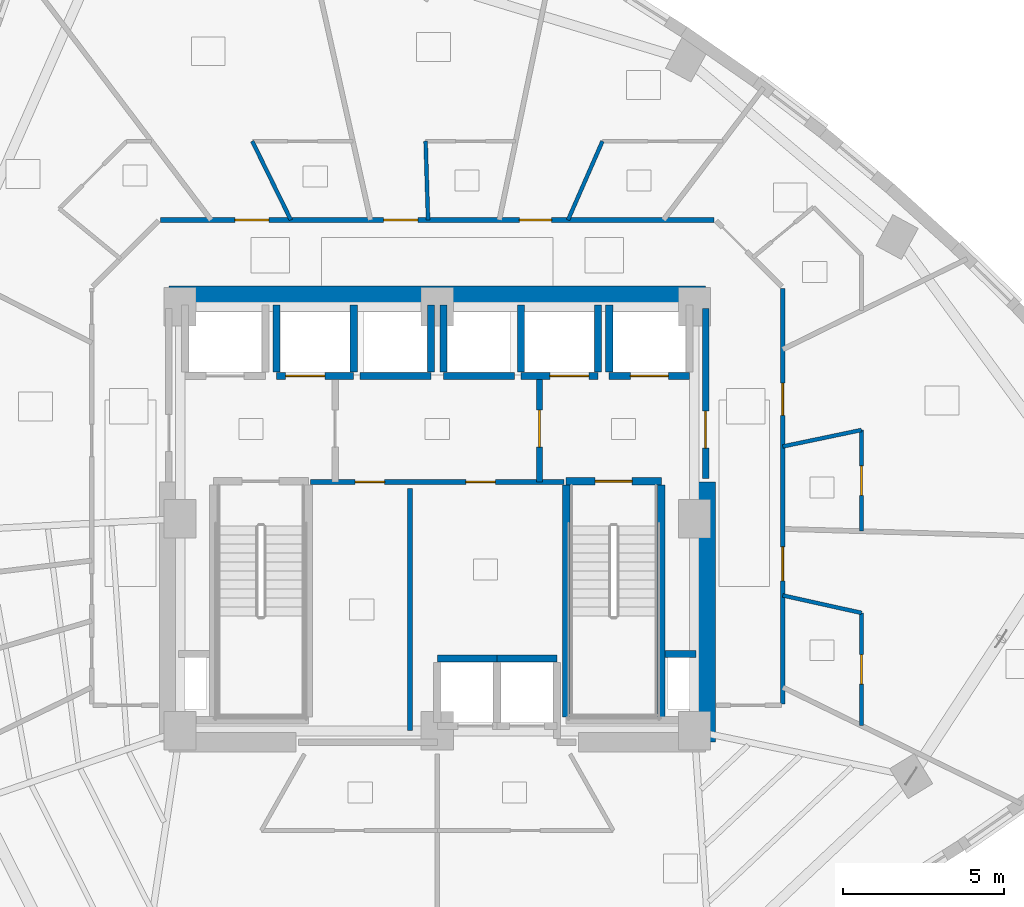
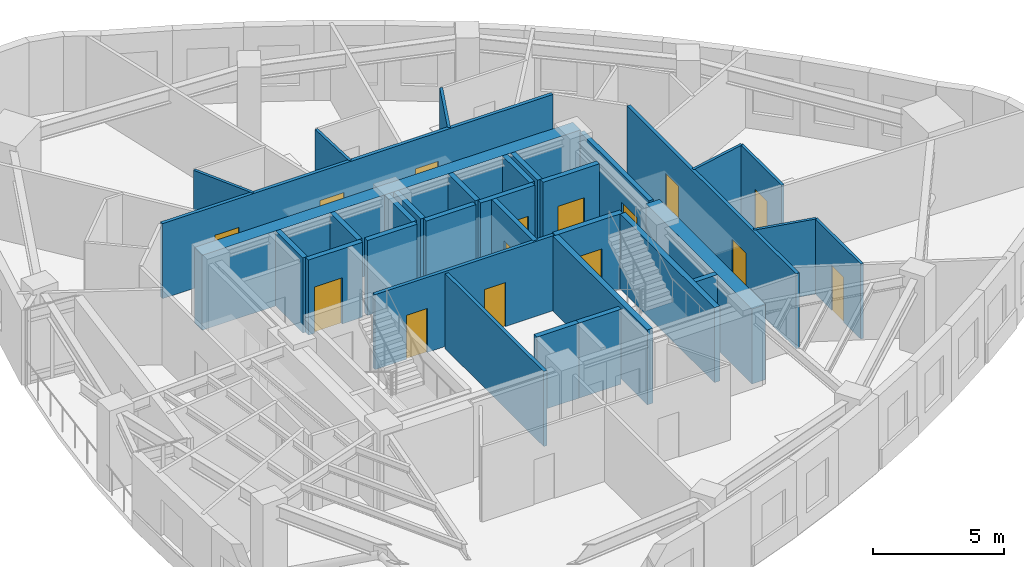
# One storey, part 7 of 12: 33 walls, 15 doors, 15 openings.
"""IFC4 building model written with IfcOpenShell, lengths in metres."""

from ifc_helpers import new_model, si_unit, direction, frame, frame_2d, origin, place, context, subcontext, project, spatial, rectangle, extrude, material, layer, layer_set, type_object, element, fill, save


model = new_model("IFC4")

# Units and contexts
model_context = context("Model", 3, precision=1e-05, world=origin(), true_north=direction((0.0, 1.0)))
body_context = subcontext(model_context, "Body", "Model", "MODEL_VIEW")
ifc_project = project(units=[si_unit("LENGTHUNIT", "METRE"), si_unit("AREAUNIT", "SQUARE_METRE"), si_unit("VOLUMEUNIT", "CUBIC_METRE"), si_unit("PLANEANGLEUNIT", "RADIAN"), si_unit("MASSUNIT", "GRAM", prefix="KILO")], contexts=[model_context])

# Site, building, storey
site_placement = place(None, origin())
site = spatial("IfcSite", under=ifc_project, at=site_placement, CompositionType="ELEMENT")
building_placement = place(site_placement, origin())
building = spatial("IfcBuilding", under=site, at=building_placement, Name="Ndelora Gate Hotel", CompositionType="ELEMENT")
storey_placement = place(building_placement, frame((0.0, 0.0, 104.75)))
storey = spatial("IfcBuildingStorey", under=building, at=storey_placement, Name="L25", CompositionType="ELEMENT", Elevation=104.75)

# Walls
ifc_material_1 = material(Name="Concrete C60/75", Category="concrete")
ifc_layer_1 = layer(ifc_material_1, 0.60009765625)
ifc_layer_set_1 = layer_set([ifc_layer_1], Name="Concrete C60/75")
wall_type_1 = type_object("IfcWallType", Name="WL-CORE-600", PredefinedType="SHEAR", material=ifc_layer_set_1)
wall_1_placement = place(storey_placement, frame((-8.35009765625, 6.949951171875, 0.0), z_axis=(0.0, 0.0, 1.0), x_axis=(1.0, 0.0, 0.0)))
element("IfcWall", 1, at=wall_1_placement, inside=storey, type_object=wall_type_1, Name="L25 Core Shear Wall N", PredefinedType="SHEAR", context=body_context, shape_type="SweptSolid", body=[
    extrude(rectangle(XDim=16.7001953125, YDim=0.60009765625, at=frame_2d((8.35009765625, 0.0))), origin(), (0.0, 0.0, 1.0), 3.5),
])
wall_2_placement = place(storey_placement, frame((8.35009765625, -6.949951171875, 0.0), z_axis=(0.0, 0.0, 1.0), x_axis=(0.0, 1.0, 0.0)))
element("IfcWall", 2, at=wall_2_placement, inside=storey, type_object=wall_type_1, Name="L25 Core Shear Wall E", PredefinedType="SHEAR", context=body_context, shape_type="SweptSolid", body=[
    extrude(rectangle(XDim=8.099853515625, YDim=0.60009765625, at=frame_2d((4.0498046875, 0.0))), origin(), (0.0, 0.0, 1.0), 3.5),
])

# Wall, opening, door
ifc_material_2 = material(Name="Concrete C40/50", Category="concrete")
ifc_layer_2 = layer(ifc_material_2, 0.199951171875)
ifc_layer_set_2 = layer_set([ifc_layer_2], Name="Concrete C40/50")
wall_type_2 = type_object("IfcWallType", Name="WL-FIRE-200", PredefinedType="PARTITIONING", material=ifc_layer_set_2)
wall_3_placement = place(storey_placement, frame((3.179931640625, 1.14990234375, 0.0), z_axis=(0.0, 0.0, 1.0), x_axis=(0.0, 1.0, 0.0)))
wall_3 = element("IfcWall", 3, at=wall_3_placement, inside=storey, type_object=wall_type_2, Name="L25 Interior Wall IW-2", PredefinedType="PARTITIONING", context=body_context, shape_type="SweptSolid", body=[
    extrude(rectangle(XDim=3.300048828125, YDim=0.199951171875, at=frame_2d((1.64990234375, 0.0))), origin(), (0.0, 0.0, 1.0), 3.5),
])
opening_1_placement = place(wall_3_placement, frame((1.080078125, 0.0, 0.0)))
opening_1 = element("IfcOpeningElement", 4, at=opening_1_placement, cuts=wall_3, Name="Opening FD1", PredefinedType="OPENING", context=body_context, shape_type="SweptSolid", body=[
    extrude(rectangle(XDim=1.14990234375, YDim=2.14990234375, at=frame_2d((0.574951171875, 1.074951171875))), frame((0.0, 0.10986328125, 0.0), z_axis=(0.0, -1.0, 0.0), x_axis=(1.0, 0.0, 0.0)), (0.0, 0.0, 1.0), 0.219970703125),
])
ifc_material_3 = material(Name="Fire-Rated Timber-Veneer Steel Core", Category="steel")
door_type_1 = type_object("IfcDoorType", Name="DR-FD60", OperationType="SINGLE_SWING_LEFT", PredefinedType="DOOR", material=ifc_material_3)
door_1_placement = place(opening_1_placement, origin())
door_1 = element("IfcDoor", 5, at=door_1_placement, inside=storey, type_object=door_type_1, Name="L25 Firefighting Lobby East Door", OperationType="SINGLE_SWING_LEFT", OverallHeight=2.14990234375, OverallWidth=1.14990234375, PredefinedType="DOOR", context=body_context, shape_type="SweptSolid", body=[
    extrude(rectangle(XDim=1.14990234375, YDim=2.14990234375, at=frame_2d((0.574951171875, 1.074951171875))), frame((0.0, 0.02490234375, 0.0), z_axis=(0.0, -1.0, 0.0), x_axis=(1.0, 0.0, 0.0)), (0.0, 0.0, 1.0), 0.050048828125),
])
fill(opening_1, door_1)

wall_4_placement = place(storey_placement, frame((8.35009765625, 1.25, 0.0), z_axis=(0.0, 0.0, 1.0), x_axis=(0.0, 1.0, 0.0)))
wall_4 = element("IfcWall", 6, at=wall_4_placement, inside=storey, type_object=wall_type_2, Name="L25 Interior Wall IW-2", PredefinedType="PARTITIONING", context=body_context, shape_type="SweptSolid", body=[
    extrude(rectangle(XDim=5.300048828125, YDim=0.199951171875, at=frame_2d((2.64990234375, 0.0))), origin(), (0.0, 0.0, 1.0), 3.5),
])
opening_2_placement = place(wall_4_placement, frame((0.949951171875, 0.0, 0.0)))
opening_2 = element("IfcOpeningElement", 7, at=opening_2_placement, cuts=wall_4, Name="Opening FD1", PredefinedType="OPENING", context=body_context, shape_type="SweptSolid", body=[
    extrude(rectangle(XDim=1.14990234375, YDim=2.14990234375, at=frame_2d((0.574951171875, 1.074951171875))), frame((0.0, 0.10986328125, 0.0), z_axis=(0.0, -1.0, 0.0), x_axis=(1.0, 0.0, 0.0)), (0.0, 0.0, 1.0), 0.219970703125),
])
door_2_placement = place(opening_2_placement, origin())
door_2 = element("IfcDoor", 8, at=door_2_placement, inside=storey, type_object=door_type_1, Name="L25 Firefighting Lobby East Corridor Door", OperationType="SINGLE_SWING_RIGHT", OverallHeight=2.14990234375, OverallWidth=1.14990234375, PredefinedType="DOOR", context=body_context, shape_type="SweptSolid", body=[
    extrude(rectangle(XDim=1.14990234375, YDim=2.14990234375, at=frame_2d((0.574951171875, 1.074951171875))), frame((0.0, 0.02490234375, 0.0), z_axis=(0.0, -1.0, 0.0), x_axis=(1.0, 0.0, 0.0)), (0.0, 0.0, 1.0), 0.050048828125),
])
fill(opening_2, door_2)

# Wall, openings, doors
ifc_material_4 = material(Name="Fire-Rated Gypsum Stud Partition", Category="gypsum")
ifc_layer_3 = layer(ifc_material_4, 0.14990234375)
ifc_layer_set_3 = layer_set([ifc_layer_3], Name="Fire-Rated Gypsum Stud Partition")
wall_type_3 = type_object("IfcWallType", Name="WL-PART-150", PredefinedType="PARTITIONING", material=ifc_layer_set_3)
wall_5_placement = place(storey_placement, frame((3.949951171875, 1.14990234375, 0.0), z_axis=(0.0, 0.0, 1.0), x_axis=(-1.0, 0.0, 0.0)))
wall_5 = element("IfcWall", 9, at=wall_5_placement, inside=storey, type_object=wall_type_3, Name="L25 Interior Wall IW-5", PredefinedType="PARTITIONING", context=body_context, shape_type="SweptSolid", body=[
    extrude(rectangle(XDim=7.89990234375, YDim=0.14990234375, at=frame_2d((3.949951171875, 0.0))), origin(), (0.0, 0.0, 1.0), 3.5),
])
opening_3_placement = place(wall_5_placement, frame((5.590087890625, 0.0, 0.0)))
opening_3 = element("IfcOpeningElement", 10, at=opening_3_placement, cuts=wall_5, Name="Opening D04", PredefinedType="OPENING", context=body_context, shape_type="SweptSolid", body=[
    extrude(rectangle(XDim=0.919921875, YDim=2.050048828125, at=frame_2d((0.4599609375, 1.02490234375))), frame((0.0, 0.0849609375, 0.0), z_axis=(0.0, -1.0, 0.0), x_axis=(1.0, 0.0, 0.0)), (0.0, 0.0, 1.0), 0.169921875),
])
opening_4_placement = place(wall_5_placement, frame((2.139892578125, 0.0, 0.0)))
opening_4 = element("IfcOpeningElement", 11, at=opening_4_placement, cuts=wall_5, Name="Opening D04", PredefinedType="OPENING", context=body_context, shape_type="SweptSolid", body=[
    extrude(rectangle(XDim=0.919921875, YDim=2.050048828125, at=frame_2d((0.4599609375, 1.02490234375))), frame((0.0, 0.0849609375, 0.0), z_axis=(0.0, -1.0, 0.0), x_axis=(1.0, 0.0, 0.0)), (0.0, 0.0, 1.0), 0.169921875),
])
ifc_material_5 = material(Name="Painted Steel Core Service Door", Category="steel")
door_type_2 = type_object("IfcDoorType", Name="DR-SER-920", OperationType="SINGLE_SWING_LEFT", PredefinedType="DOOR", material=ifc_material_5)
door_3_placement = place(opening_3_placement, origin())
door_3 = element("IfcDoor", 12, at=door_3_placement, inside=storey, type_object=door_type_2, Name="L25 Core Electrical Switchroom Door", OperationType="SINGLE_SWING_LEFT", OverallHeight=2.050048828125, OverallWidth=0.919921875, PredefinedType="DOOR", context=body_context, shape_type="SweptSolid", body=[
    extrude(rectangle(XDim=0.919921875, YDim=2.050048828125, at=frame_2d((0.4599609375, 1.02490234375))), frame((0.0, 0.02490234375, 0.0), z_axis=(0.0, -1.0, 0.0), x_axis=(1.0, 0.0, 0.0)), (0.0, 0.0, 1.0), 0.050048828125),
])
fill(opening_3, door_3)
door_4_placement = place(opening_4_placement, origin())
door_4 = element("IfcDoor", 13, at=door_4_placement, inside=storey, type_object=door_type_2, Name="L25 Central Linen Equipment Store Door", OperationType="SINGLE_SWING_RIGHT", OverallHeight=2.050048828125, OverallWidth=0.919921875, PredefinedType="DOOR", context=body_context, shape_type="SweptSolid", body=[
    extrude(rectangle(XDim=0.919921875, YDim=2.050048828125, at=frame_2d((0.4599609375, 1.02490234375))), frame((0.0, 0.02490234375, 0.0), z_axis=(0.0, -1.0, 0.0), x_axis=(1.0, 0.0, 0.0)), (0.0, 0.0, 1.0), 0.050048828125),
])
fill(opening_4, door_4)

# Wall
wall_6_placement = place(storey_placement, frame((-0.85009765625, -6.580078125, 0.0), z_axis=(0.0, 0.0, 1.0), x_axis=(0.0, 1.0, 0.0)))
element("IfcWall", 14, at=wall_6_placement, inside=storey, type_object=wall_type_3, Name="L25 Interior Wall IW-5", PredefinedType="PARTITIONING", context=body_context, shape_type="SweptSolid", body=[
    extrude(rectangle(XDim=7.530029296875, YDim=0.14990234375, at=frame_2d((3.76513671875, 0.0))), origin(), (0.0, 0.0, 1.0), 3.5),
])

# Wall, openings, doors
wall_7_placement = place(storey_placement, frame((10.75, 7.159912109375, 0.0), z_axis=(0.0, 0.0, 1.0), x_axis=(0.0, -1.0, 0.0)))
wall_7 = element("IfcWall", 15, at=wall_7_placement, inside=storey, type_object=wall_type_3, Name="L25 Interior Wall IW-5", PredefinedType="PARTITIONING", context=body_context, shape_type="SweptSolid", body=[
    extrude(rectangle(XDim=12.919921875, YDim=0.14990234375, at=frame_2d((6.4599609375, 0.0))), origin(), (0.0, 0.0, 1.0), 3.5),
])
opening_5_placement = place(wall_7_placement, frame((2.937255859375, 0.0, 0.0)))
opening_5 = element("IfcOpeningElement", 16, at=opening_5_placement, cuts=wall_7, Name="Opening D01", PredefinedType="OPENING", context=body_context, shape_type="SweptSolid", body=[
    extrude(rectangle(XDim=1.0, YDim=2.14990234375, at=frame_2d((0.5, 1.074951171875))), frame((0.0, 0.0849609375, 0.0), z_axis=(0.0, -1.0, 0.0), x_axis=(1.0, 0.0, 0.0)), (0.0, 0.0, 1.0), 0.169921875),
])
opening_6_placement = place(wall_7_placement, frame((8.02978515625, 0.0, 0.0)))
opening_6 = element("IfcOpeningElement", 17, at=opening_6_placement, cuts=wall_7, Name="Opening D07", PredefinedType="OPENING", context=body_context, shape_type="SweptSolid", body=[
    extrude(rectangle(XDim=1.06005859375, YDim=2.14990234375, at=frame_2d((0.530029296875, 1.074951171875))), frame((0.0, 0.0849609375, 0.0), z_axis=(0.0, -1.0, 0.0), x_axis=(1.0, 0.0, 0.0)), (0.0, 0.0, 1.0), 0.169921875),
])
ifc_material_6 = material(Name="Acoustic Hardwood Guest Entrance Door", Category="wood")
door_type_3 = type_object("IfcDoorType", Name="DR-COR-1000", OperationType="SINGLE_SWING_LEFT", PredefinedType="DOOR", material=ifc_material_6)
door_5_placement = place(opening_5_placement, origin())
door_5 = element("IfcDoor", 18, at=door_5_placement, inside=storey, type_object=door_type_3, Name="L25 Club King Guest Room 2804 Entrance Door", OperationType="SINGLE_SWING_LEFT", OverallHeight=2.14990234375, OverallWidth=1.0, PredefinedType="DOOR", context=body_context, shape_type="SweptSolid", body=[
    extrude(rectangle(XDim=1.0, YDim=2.14990234375, at=frame_2d((0.5, 1.074951171875))), frame((0.0, 0.02490234375, 0.0), z_axis=(0.0, -1.0, 0.0), x_axis=(1.0, 0.0, 0.0)), (0.0, 0.0, 1.0), 0.050048828125),
])
fill(opening_5, door_5)
ifc_material_7 = material(Name="Diplomatic Suite Acoustic Entrance Door", Category="wood")
door_type_4 = type_object("IfcDoorType", Name="DR-SUITE-1060", OperationType="SINGLE_SWING_LEFT", PredefinedType="DOOR", material=ifc_material_7)
door_6_placement = place(opening_6_placement, origin())
door_6 = element("IfcDoor", 19, at=door_6_placement, inside=storey, type_object=door_type_4, Name="L25 Corner Club Suite 2803 Entrance Door", OperationType="SINGLE_SWING_RIGHT", OverallHeight=2.14990234375, OverallWidth=1.06005859375, PredefinedType="DOOR", context=body_context, shape_type="SweptSolid", body=[
    extrude(rectangle(XDim=1.06005859375, YDim=2.14990234375, at=frame_2d((0.530029296875, 1.074951171875))), frame((0.0, 0.02490234375, 0.0), z_axis=(0.0, -1.0, 0.0), x_axis=(1.0, 0.0, 0.0)), (0.0, 0.0, 1.0), 0.050048828125),
])
fill(opening_6, door_6)

wall_8_placement = place(storey_placement, frame((-8.610107421875, 9.300048828125, 0.0), z_axis=(0.0, 0.0, 1.0), x_axis=(1.0, 0.0, 0.0)))
wall_8 = element("IfcWall", 20, at=wall_8_placement, inside=storey, type_object=wall_type_3, Name="L25 Interior Wall IW-5", PredefinedType="PARTITIONING", context=body_context, shape_type="SweptSolid", body=[
    extrude(rectangle(XDim=17.22021484375, YDim=0.14990234375, at=frame_2d((8.610107421875, 0.0))), origin(), (0.0, 0.0, 1.0), 3.5),
])
opening_7_placement = place(wall_8_placement, frame((11.16650390625, 0.0, 0.0)))
opening_7 = element("IfcOpeningElement", 21, at=opening_7_placement, cuts=wall_8, Name="Opening D01", PredefinedType="OPENING", context=body_context, shape_type="SweptSolid", body=[
    extrude(rectangle(XDim=1.0, YDim=2.14990234375, at=frame_2d((0.5, 1.074951171875))), frame((0.0, 0.0849609375, 0.0), z_axis=(0.0, -1.0, 0.0), x_axis=(1.0, 0.0, 0.0)), (0.0, 0.0, 1.0), 0.169921875),
])
opening_8_placement = place(wall_8_placement, frame((6.9443359375, 0.0, 0.0)))
opening_8 = element("IfcOpeningElement", 22, at=opening_8_placement, cuts=wall_8, Name="Opening D07", PredefinedType="OPENING", context=body_context, shape_type="SweptSolid", body=[
    extrude(rectangle(XDim=1.06005859375, YDim=2.14990234375, at=frame_2d((0.530029296875, 1.074951171875))), frame((0.0, 0.0849609375, 0.0), z_axis=(0.0, -1.0, 0.0), x_axis=(1.0, 0.0, 0.0)), (0.0, 0.0, 1.0), 0.169921875),
])
opening_9_placement = place(wall_8_placement, frame((2.31103515625, 0.0, 0.0)))
opening_9 = element("IfcOpeningElement", 23, at=opening_9_placement, cuts=wall_8, Name="Opening D07", PredefinedType="OPENING", context=body_context, shape_type="SweptSolid", body=[
    extrude(rectangle(XDim=1.06005859375, YDim=2.14990234375, at=frame_2d((0.530029296875, 1.074951171875))), frame((0.0, 0.0849609375, 0.0), z_axis=(0.0, -1.0, 0.0), x_axis=(1.0, 0.0, 0.0)), (0.0, 0.0, 1.0), 0.169921875),
])
door_7_placement = place(opening_7_placement, origin())
door_7 = element("IfcDoor", 24, at=door_7_placement, inside=storey, type_object=door_type_3, Name="L25 Club Twin Guest Room 2806 Entrance Door", OperationType="SINGLE_SWING_RIGHT", OverallHeight=2.14990234375, OverallWidth=1.0, PredefinedType="DOOR", context=body_context, shape_type="SweptSolid", body=[
    extrude(rectangle(XDim=1.0, YDim=2.14990234375, at=frame_2d((0.5, 1.074951171875))), frame((0.0, 0.02490234375, 0.0), z_axis=(0.0, -1.0, 0.0), x_axis=(1.0, 0.0, 0.0)), (0.0, 0.0, 1.0), 0.050048828125),
])
fill(opening_7, door_7)
door_8_placement = place(opening_8_placement, origin())
door_8 = element("IfcDoor", 25, at=door_8_placement, inside=storey, type_object=door_type_4, Name="L25 Corner Junior Suite 2807 Entrance Door", OperationType="SINGLE_SWING_RIGHT", OverallHeight=2.14990234375, OverallWidth=1.06005859375, PredefinedType="DOOR", context=body_context, shape_type="SweptSolid", body=[
    extrude(rectangle(XDim=1.06005859375, YDim=2.14990234375, at=frame_2d((0.530029296875, 1.074951171875))), frame((0.0, 0.02490234375, 0.0), z_axis=(0.0, -1.0, 0.0), x_axis=(1.0, 0.0, 0.0)), (0.0, 0.0, 1.0), 0.050048828125),
])
fill(opening_8, door_8)
door_9_placement = place(opening_9_placement, origin())
door_9 = element("IfcDoor", 26, at=door_9_placement, inside=storey, type_object=door_type_4, Name="L25 Club Superior Junior Suite 2808 Entrance Door", OperationType="SINGLE_SWING_LEFT", OverallHeight=2.14990234375, OverallWidth=1.06005859375, PredefinedType="DOOR", context=body_context, shape_type="SweptSolid", body=[
    extrude(rectangle(XDim=1.06005859375, YDim=2.14990234375, at=frame_2d((0.530029296875, 1.074951171875))), frame((0.0, 0.02490234375, 0.0), z_axis=(0.0, -1.0, 0.0), x_axis=(1.0, 0.0, 0.0)), (0.0, 0.0, 1.0), 0.050048828125),
])
fill(opening_9, door_9)

# Wall
ifc_layer_4 = layer(ifc_material_2, 0.219970703125)
ifc_layer_set_4 = layer_set([ifc_layer_4], Name="Concrete C40/50")
wall_type_4 = type_object("IfcWallType", Name="WL-SHAFT-220", PredefinedType="PARTITIONING", material=ifc_layer_set_4)
wall_9_placement = place(storey_placement, frame((7.090087890625, -4.199951171875, 0.0), z_axis=(0.0, 0.0, 1.0), x_axis=(1.0, 0.0, 0.0)))
element("IfcWall", 27, at=wall_9_placement, inside=storey, type_object=wall_type_4, Name="L25 Interior Wall IW-1", PredefinedType="PARTITIONING", context=body_context, shape_type="SweptSolid", body=[
    extrude(rectangle(XDim=0.9599609375, YDim=0.219970703125, at=frame_2d((0.47998046875, 0.0))), origin(), (0.0, 0.0, 1.0), 3.5),
])

# Wall, opening, door
wall_10_placement = place(storey_placement, frame((5.35009765625, 4.449951171875, 0.0), z_axis=(0.0, 0.0, 1.0), x_axis=(1.0, 0.0, 0.0)))
wall_10 = element("IfcWall", 28, at=wall_10_placement, inside=storey, type_object=wall_type_4, Name="L25 Interior Wall IW-1", PredefinedType="PARTITIONING", context=body_context, shape_type="SweptSolid", body=[
    extrude(rectangle(XDim=2.5, YDim=0.219970703125, at=frame_2d((1.25, 0.0))), origin(), (0.0, 0.0, 1.0), 3.5),
])
opening_10_placement = place(wall_10_placement, frame((0.659912109375, 0.0, 0.0)))
opening_10 = element("IfcOpeningElement", 29, at=opening_10_placement, cuts=wall_10, Name="Opening LD5", PredefinedType="OPENING", context=body_context, shape_type="SweptSolid", body=[
    extrude(rectangle(XDim=1.179931640625, YDim=2.14990234375, at=frame_2d((0.58984375, 1.074951171875))), frame((0.0, 0.1201171875, 0.0), z_axis=(0.0, -1.0, 0.0), x_axis=(1.0, 0.0, 0.0)), (0.0, 0.0, 1.0), 0.239990234375),
])
ifc_material_8 = material(Name="Firefighting Lift Stainless Sliding Landing Door", Category="metal")
door_type_5 = type_object("IfcDoorType", Name="DR-LD5", OperationType="DOUBLE_DOOR_SLIDING", PredefinedType="DOOR", material=ifc_material_8)
door_10_placement = place(opening_10_placement, origin())
door_10 = element("IfcDoor", 30, at=door_10_placement, inside=storey, type_object=door_type_5, Name="L25 Lift Landing Sliding Door FFL2", OperationType="DOUBLE_DOOR_SLIDING", OverallHeight=2.14990234375, OverallWidth=1.179931640625, PredefinedType="DOOR", context=body_context, shape_type="SweptSolid", body=[
    extrude(rectangle(XDim=1.179931640625, YDim=2.14990234375, at=frame_2d((0.58984375, 1.074951171875))), frame((0.0, 0.02490234375, 0.0), z_axis=(0.0, -1.0, 0.0), x_axis=(1.0, 0.0, 0.0)), (0.0, 0.0, 1.0), 0.050048828125),
])
fill(opening_10, door_10)

# Wall
wall_11_placement = place(storey_placement, frame((5.35009765625, 4.570068359375, 0.0), z_axis=(0.0, 0.0, 1.0), x_axis=(0.0, 1.0, 0.0)))
element("IfcWall", 31, at=wall_11_placement, inside=storey, type_object=wall_type_4, Name="L25 Interior Wall IW-1", PredefinedType="PARTITIONING", context=body_context, shape_type="SweptSolid", body=[
    extrude(rectangle(XDim=2.079833984375, YDim=0.219970703125, at=frame_2d((1.0400390625, 0.0))), origin(), (0.0, 0.0, 1.0), 3.5),
])

# Wall, opening, door
wall_12_placement = place(storey_placement, frame((-5.0, 4.449951171875, 0.0), z_axis=(0.0, 0.0, 1.0), x_axis=(1.0, 0.0, 0.0)))
wall_12 = element("IfcWall", 32, at=wall_12_placement, inside=storey, type_object=wall_type_4, Name="L25 Interior Wall IW-1", PredefinedType="PARTITIONING", context=body_context, shape_type="SweptSolid", body=[
    extrude(rectangle(XDim=2.39990234375, YDim=0.219970703125, at=frame_2d((1.199951171875, 0.0))), origin(), (0.0, 0.0, 1.0), 3.5),
])
opening_11_placement = place(wall_12_placement, frame((0.280029296875, 0.0, 0.0)))
opening_11 = element("IfcOpeningElement", 33, at=opening_11_placement, cuts=wall_12, Name="Opening LD6", PredefinedType="OPENING", context=body_context, shape_type="SweptSolid", body=[
    extrude(rectangle(XDim=1.219970703125, YDim=2.14990234375, at=frame_2d((0.60986328125, 1.074951171875))), frame((0.0, 0.1201171875, 0.0), z_axis=(0.0, -1.0, 0.0), x_axis=(1.0, 0.0, 0.0)), (0.0, 0.0, 1.0), 0.239990234375),
])
ifc_material_9 = material(Name="Heavy-Duty Service Lift Sliding Landing Door", Category="wood")
door_type_6 = type_object("IfcDoorType", Name="DR-LD6", OperationType="DOUBLE_DOOR_SLIDING", PredefinedType="DOOR", material=ifc_material_9)
door_11_placement = place(opening_11_placement, origin())
door_11 = element("IfcDoor", 34, at=door_11_placement, inside=storey, type_object=door_type_6, Name="L25 Lift Landing Sliding Door SVL1", OperationType="DOUBLE_DOOR_SLIDING", OverallHeight=2.14990234375, OverallWidth=1.219970703125, PredefinedType="DOOR", context=body_context, shape_type="SweptSolid", body=[
    extrude(rectangle(XDim=1.219970703125, YDim=2.14990234375, at=frame_2d((0.60986328125, 1.074951171875))), frame((0.0, 0.02490234375, 0.0), z_axis=(0.0, -1.0, 0.0), x_axis=(1.0, 0.0, 0.0)), (0.0, 0.0, 1.0), 0.050048828125),
])
fill(opening_11, door_11)

# Walls
for number, where, z_axis, x_axis, name in (
    (35, (-5.0, 4.570068359375, 0.0), (0.0, 0.0, 1.0), (0.0, 1.0, 0.0), "L25 Interior Wall IW-1"),
    (36, (-2.60009765625, 4.570068359375, 0.0), (0.0, 0.0, 1.0), (0.0, 1.0, 0.0), "L25 Interior Wall IW-1"),
):
    element("IfcWall", number, at=place(storey_placement, frame(where, z_axis=z_axis, x_axis=x_axis)), inside=storey, type_object=wall_type_4, Name=name, PredefinedType="PARTITIONING", context=body_context, shape_type="SweptSolid", body=[
        extrude(rectangle(XDim=2.079833984375, YDim=0.219970703125, at=frame_2d((1.0400390625, 0.0))), origin(), (0.0, 0.0, 1.0), 3.5),
    ])

# Wall, opening, door
wall_13_placement = place(storey_placement, frame((2.60009765625, 4.449951171875, 0.0), z_axis=(0.0, 0.0, 1.0), x_axis=(1.0, 0.0, 0.0)))
wall_13 = element("IfcWall", 37, at=wall_13_placement, inside=storey, type_object=wall_type_4, Name="L25 Interior Wall IW-1", PredefinedType="PARTITIONING", context=body_context, shape_type="SweptSolid", body=[
    extrude(rectangle(XDim=2.39990234375, YDim=0.219970703125, at=frame_2d((1.199951171875, 0.0))), origin(), (0.0, 0.0, 1.0), 3.5),
])
opening_12_placement = place(wall_13_placement, frame((0.89990234375, 0.0, 0.0)))
opening_12 = element("IfcOpeningElement", 38, at=opening_12_placement, cuts=wall_13, Name="Opening LD6", PredefinedType="OPENING", context=body_context, shape_type="SweptSolid", body=[
    extrude(rectangle(XDim=1.219970703125, YDim=2.14990234375, at=frame_2d((0.60986328125, 1.074951171875))), frame((0.0, 0.1201171875, 0.0), z_axis=(0.0, -1.0, 0.0), x_axis=(1.0, 0.0, 0.0)), (0.0, 0.0, 1.0), 0.239990234375),
])
door_12_placement = place(opening_12_placement, origin())
door_12 = element("IfcDoor", 39, at=door_12_placement, inside=storey, type_object=door_type_6, Name="L25 Lift Landing Sliding Door SVL2", OperationType="DOUBLE_DOOR_SLIDING", OverallHeight=2.14990234375, OverallWidth=1.219970703125, PredefinedType="DOOR", context=body_context, shape_type="SweptSolid", body=[
    extrude(rectangle(XDim=1.219970703125, YDim=2.14990234375, at=frame_2d((0.60986328125, 1.074951171875))), frame((0.0, 0.02490234375, 0.0), z_axis=(0.0, -1.0, 0.0), x_axis=(1.0, 0.0, 0.0)), (0.0, 0.0, 1.0), 0.050048828125),
])
fill(opening_12, door_12)

# Walls
for number, where, z_axis, x_axis, name in (
    (40, (2.60009765625, 4.570068359375, 0.0), (0.0, 0.0, 1.0), (0.0, 1.0, 0.0), "L25 Interior Wall IW-1"),
    (41, (5.0, 4.570068359375, 0.0), (0.0, 0.0, 1.0), (0.0, 1.0, 0.0), "L25 Interior Wall IW-1"),
):
    element("IfcWall", number, at=place(storey_placement, frame(where, z_axis=z_axis, x_axis=x_axis)), inside=storey, type_object=wall_type_4, Name=name, PredefinedType="PARTITIONING", context=body_context, shape_type="SweptSolid", body=[
        extrude(rectangle(XDim=2.079833984375, YDim=0.219970703125, at=frame_2d((1.0400390625, 0.0))), origin(), (0.0, 0.0, 1.0), 3.5),
    ])
wall_14_placement = place(storey_placement, frame((0.0, -4.35009765625, 0.0), z_axis=(0.0, 0.0, 1.0), x_axis=(1.0, 0.0, 0.0)))
element("IfcWall", 42, at=wall_14_placement, inside=storey, type_object=wall_type_4, Name="L25 Interior Wall IW-1", PredefinedType="PARTITIONING", context=body_context, shape_type="SweptSolid", body=[
    extrude(rectangle(XDim=1.860107421875, YDim=0.219970703125, at=frame_2d((0.93017578125, 0.0))), origin(), (0.0, 0.0, 1.0), 3.5),
])
wall_15_placement = place(storey_placement, frame((1.860107421875, -4.35009765625, 0.0), z_axis=(0.0, 0.0, 1.0), x_axis=(1.0, 0.0, 0.0)))
element("IfcWall", 43, at=wall_15_placement, inside=storey, type_object=wall_type_4, Name="L25 Interior Wall IW-1", PredefinedType="PARTITIONING", context=body_context, shape_type="SweptSolid", body=[
    extrude(rectangle(XDim=1.85986328125, YDim=0.219970703125, at=frame_2d((0.929931640625, 0.0))), origin(), (0.0, 0.0, 1.0), 3.5),
])
wall_16_placement = place(storey_placement, frame((-2.39990234375, 4.449951171875, 0.0), z_axis=(0.0, 0.0, 1.0), x_axis=(1.0, 0.0, 0.0)))
element("IfcWall", 44, at=wall_16_placement, inside=storey, type_object=wall_type_4, Name="L25 Interior Wall IW-1", PredefinedType="PARTITIONING", context=body_context, shape_type="SweptSolid", body=[
    extrude(rectangle(XDim=2.199951171875, YDim=0.219970703125, at=frame_2d((1.10009765625, 0.0))), origin(), (0.0, 0.0, 1.0), 3.5),
])
wall_17_placement = place(storey_placement, frame((-0.199951171875, 4.570068359375, 0.0), z_axis=(0.0, 0.0, 1.0), x_axis=(0.0, 1.0, 0.0)))
element("IfcWall", 45, at=wall_17_placement, inside=storey, type_object=wall_type_4, Name="L25 Interior Wall IW-1", PredefinedType="PARTITIONING", context=body_context, shape_type="SweptSolid", body=[
    extrude(rectangle(XDim=2.079833984375, YDim=0.219970703125, at=frame_2d((1.0400390625, 0.0))), origin(), (0.0, 0.0, 1.0), 3.5),
])
wall_18_placement = place(storey_placement, frame((0.199951171875, 4.449951171875, 0.0), z_axis=(0.0, 0.0, 1.0), x_axis=(1.0, 0.0, 0.0)))
element("IfcWall", 46, at=wall_18_placement, inside=storey, type_object=wall_type_4, Name="L25 Interior Wall IW-1", PredefinedType="PARTITIONING", context=body_context, shape_type="SweptSolid", body=[
    extrude(rectangle(XDim=2.199951171875, YDim=0.219970703125, at=frame_2d((1.10009765625, 0.0))), origin(), (0.0, 0.0, 1.0), 3.5),
])
wall_19_placement = place(storey_placement, frame((0.199951171875, 4.570068359375, 0.0), z_axis=(0.0, 0.0, 1.0), x_axis=(0.0, 1.0, 0.0)))
element("IfcWall", 47, at=wall_19_placement, inside=storey, type_object=wall_type_4, Name="L25 Interior Wall IW-1", PredefinedType="PARTITIONING", context=body_context, shape_type="SweptSolid", body=[
    extrude(rectangle(XDim=2.079833984375, YDim=0.219970703125, at=frame_2d((1.0400390625, 0.0))), origin(), (0.0, 0.0, 1.0), 3.5),
])
ifc_material_10 = material(Name="Concrete C50/60", Category="concrete")
ifc_layer_5 = layer(ifc_material_10, 0.239990234375)
ifc_layer_set_5 = layer_set([ifc_layer_5], Name="Concrete C50/60")
wall_type_5 = type_object("IfcWallType", Name="WL-STAIR-240", PredefinedType="SHEAR", material=ifc_layer_set_5)
for number, where, z_axis, x_axis, name in (
    (48, (4.010009765625, -6.159912109375, 0.0), (0.0, 0.0, 1.0), (0.0, 1.0, 0.0), "L25 Stair Core Shear Wall SW-ST"),
    (49, (6.969970703125, -6.159912109375, 0.0), (0.0, 0.0, 1.0), (0.0, 1.0, 0.0), "L25 Stair Core Shear Wall SW-ST"),
):
    element("IfcWall", number, at=place(storey_placement, frame(where, z_axis=z_axis, x_axis=x_axis)), inside=storey, type_object=wall_type_5, Name=name, PredefinedType="SHEAR", context=body_context, shape_type="SweptSolid", body=[
        extrude(rectangle(XDim=7.219970703125, YDim=0.239990234375, at=frame_2d((3.60986328125, 0.0))), origin(), (0.0, 0.0, 1.0), 3.5),
    ])

# Wall, opening, door
wall_20_placement = place(storey_placement, frame((4.010009765625, 1.169921875, 0.0), z_axis=(0.0, 0.0, 1.0), x_axis=(1.0, 0.0, 0.0)))
wall_20 = element("IfcWall", 50, at=wall_20_placement, inside=storey, type_object=wall_type_5, Name="L25 Stair Core Shear Wall SW-ST", PredefinedType="SHEAR", context=body_context, shape_type="SweptSolid", body=[
    extrude(rectangle(XDim=2.9599609375, YDim=0.239990234375, at=frame_2d((1.47998046875, 0.0))), origin(), (0.0, 0.0, 1.0), 3.5),
])
opening_13_placement = place(wall_20_placement, frame((0.89990234375, 0.0, 0.0)))
opening_13 = element("IfcOpeningElement", 51, at=opening_13_placement, cuts=wall_20, Name="Opening FD1", PredefinedType="OPENING", context=body_context, shape_type="SweptSolid", body=[
    extrude(rectangle(XDim=1.14990234375, YDim=2.14990234375, at=frame_2d((0.574951171875, 1.074951171875))), frame((0.0, 0.1298828125, 0.0), z_axis=(0.0, -1.0, 0.0), x_axis=(1.0, 0.0, 0.0)), (0.0, 0.0, 1.0), 0.260009765625),
])
door_13_placement = place(opening_13_placement, origin())
door_13 = element("IfcDoor", 52, at=door_13_placement, inside=storey, type_object=door_type_1, Name="L25 Exit Stair ST5 Door", OperationType="SINGLE_SWING_RIGHT", OverallHeight=2.14990234375, OverallWidth=1.14990234375, PredefinedType="DOOR", context=body_context, shape_type="SweptSolid", body=[
    extrude(rectangle(XDim=1.14990234375, YDim=2.14990234375, at=frame_2d((0.574951171875, 1.074951171875))), frame((0.0, 0.02490234375, 0.0), z_axis=(0.0, -1.0, 0.0), x_axis=(1.0, 0.0, 0.0)), (0.0, 0.0, 1.0), 0.050048828125),
])
fill(opening_13, door_13)

# Wall
ifc_material_11 = material(Name="Moisture-Resistant Bathroom Tile Partition", Category="gypsum")
ifc_layer_6 = layer(ifc_material_11, 0.1201171875)
ifc_layer_set_6 = layer_set([ifc_layer_6], Name="Moisture-Resistant Bathroom Tile Partition")
wall_type_6 = type_object("IfcWallType", Name="WL-WET-120", PredefinedType="PARTITIONING", material=ifc_layer_set_6)
wall_21_placement = place(storey_placement, frame((10.75, -2.38330078125, 0.0), z_axis=(0.0, 0.0, 1.0), x_axis=(0.976289961462, -0.216466882337, 0.0)))
element("IfcWall", 53, at=wall_21_placement, inside=storey, type_object=wall_type_6, Name="L25 Interior Wall IW-7", PredefinedType="PARTITIONING", context=body_context, shape_type="SweptSolid", body=[
    extrude(rectangle(XDim=2.509521484375, YDim=0.1201171875, at=frame_2d((1.2548828125, 0.0))), origin(), (0.0, 0.0, 1.0), 3.5),
])

# Wall, opening, door
wall_22_placement = place(storey_placement, frame((13.199951171875, -2.926513671875, 0.0), z_axis=(0.0, 0.0, 1.0), x_axis=(0.0, -1.0, 0.0)))
wall_22 = element("IfcWall", 54, at=wall_22_placement, inside=storey, type_object=wall_type_6, Name="L25 Interior Wall IW-7", PredefinedType="PARTITIONING", context=body_context, shape_type="SweptSolid", body=[
    extrude(rectangle(XDim=3.511474609375, YDim=0.1201171875, at=frame_2d((1.755859375, 0.0))), origin(), (0.0, 0.0, 1.0), 3.5),
])
opening_14_placement = place(wall_22_placement, frame((1.2958984375, 0.0, 0.0)))
opening_14 = element("IfcOpeningElement", 55, at=opening_14_placement, cuts=wall_22, Name="Opening D03", PredefinedType="OPENING", context=body_context, shape_type="SweptSolid", body=[
    extrude(rectangle(XDim=0.919921875, YDim=2.10009765625, at=frame_2d((0.4599609375, 1.050048828125))), frame((0.0, 0.070068359375, 0.0), z_axis=(0.0, -1.0, 0.0), x_axis=(1.0, 0.0, 0.0)), (0.0, 0.0, 1.0), 0.14013671875),
])
ifc_material_12 = material(Name="Moisture-Resistant Hardwood En-Suite Door", Category="wood")
door_type_7 = type_object("IfcDoorType", Name="DR-BATH-920", OperationType="SINGLE_SWING_LEFT", PredefinedType="DOOR", material=ifc_material_12)
door_14_placement = place(opening_14_placement, origin())
door_14 = element("IfcDoor", 56, at=door_14_placement, inside=storey, type_object=door_type_7, Name="L25 En-suite Bathroom 2803 Door", OperationType="SINGLE_SWING_RIGHT", OverallHeight=2.10009765625, OverallWidth=0.919921875, PredefinedType="DOOR", context=body_context, shape_type="SweptSolid", body=[
    extrude(rectangle(XDim=0.919921875, YDim=2.10009765625, at=frame_2d((0.4599609375, 1.050048828125))), frame((0.0, 0.02490234375, 0.0), z_axis=(0.0, -1.0, 0.0), x_axis=(1.0, 0.0, 0.0)), (0.0, 0.0, 1.0), 0.050048828125),
])
fill(opening_14, door_14)

# Wall
wall_23_placement = place(storey_placement, frame((13.199951171875, 2.7646484375, 0.0), z_axis=(0.0, 0.0, 1.0), x_axis=(-0.978777888037, -0.204924000276, 0.0)))
element("IfcWall", 57, at=wall_23_placement, inside=storey, type_object=wall_type_6, Name="L25 Interior Wall IW-7", PredefinedType="PARTITIONING", context=body_context, shape_type="SweptSolid", body=[
    extrude(rectangle(XDim=2.503173828125, YDim=0.1201171875, at=frame_2d((1.25146484375, 0.0))), origin(), (0.0, 0.0, 1.0), 3.5),
])

# Wall, opening, door
wall_24_placement = place(storey_placement, frame((13.199951171875, 2.7646484375, 0.0), z_axis=(0.0, 0.0, 1.0), x_axis=(0.0, -1.0, 0.0)))
wall_24 = element("IfcWall", 58, at=wall_24_placement, inside=storey, type_object=wall_type_6, Name="L25 Interior Wall IW-7", PredefinedType="PARTITIONING", context=body_context, shape_type="SweptSolid", body=[
    extrude(rectangle(XDim=3.149658203125, YDim=0.1201171875, at=frame_2d((1.57470703125, 0.0))), origin(), (0.0, 0.0, 1.0), 3.5),
])
opening_15_placement = place(wall_24_placement, frame((1.11474609375, 0.0, 0.0)))
opening_15 = element("IfcOpeningElement", 59, at=opening_15_placement, cuts=wall_24, Name="Opening D03", PredefinedType="OPENING", context=body_context, shape_type="SweptSolid", body=[
    extrude(rectangle(XDim=0.919921875, YDim=2.10009765625, at=frame_2d((0.4599609375, 1.050048828125))), frame((0.0, 0.070068359375, 0.0), z_axis=(0.0, -1.0, 0.0), x_axis=(1.0, 0.0, 0.0)), (0.0, 0.0, 1.0), 0.14013671875),
])
door_15_placement = place(opening_15_placement, origin())
door_15 = element("IfcDoor", 60, at=door_15_placement, inside=storey, type_object=door_type_7, Name="L25 En-suite Bathroom 2804 Door", OperationType="SINGLE_SWING_LEFT", OverallHeight=2.10009765625, OverallWidth=0.919921875, PredefinedType="DOOR", context=body_context, shape_type="SweptSolid", body=[
    extrude(rectangle(XDim=0.919921875, YDim=2.10009765625, at=frame_2d((0.4599609375, 1.050048828125))), frame((0.0, 0.02490234375, 0.0), z_axis=(0.0, -1.0, 0.0), x_axis=(1.0, 0.0, 0.0)), (0.0, 0.0, 1.0), 0.050048828125),
])
fill(opening_15, door_15)

# Walls
wall_25_placement = place(storey_placement, frame((4.068115234375, 9.300048828125, 0.0), z_axis=(0.0, 0.0, 1.0), x_axis=(0.400794887066, 0.916167811322, 0.0)))
element("IfcWall", 61, at=wall_25_placement, inside=storey, type_object=wall_type_6, Name="L25 Interior Wall IW-7", PredefinedType="PARTITIONING", context=body_context, shape_type="SweptSolid", body=[
    extrude(rectangle(XDim=2.674072265625, YDim=0.1201171875, at=frame_2d((1.3369140625, 0.0))), origin(), (0.0, 0.0, 1.0), 3.5),
])
wall_26_placement = place(storey_placement, frame((-0.287353515625, 9.300048828125, 0.0), z_axis=(0.0, 0.0, 1.0), x_axis=(-0.030877148781, 0.999523187166, 0.0)))
element("IfcWall", 62, at=wall_26_placement, inside=storey, type_object=wall_type_6, Name="L25 Interior Wall IW-7", PredefinedType="PARTITIONING", context=body_context, shape_type="SweptSolid", body=[
    extrude(rectangle(XDim=2.451171875, YDim=0.1201171875, at=frame_2d((1.2255859375, 0.0))), origin(), (0.0, 0.0, 1.0), 3.5),
])
wall_27_placement = place(storey_placement, frame((-5.756103515625, 11.75, 0.0), z_axis=(0.0, 0.0, 1.0), x_axis=(0.439932257938, -0.898030961841, 0.0)))
element("IfcWall", 63, at=wall_27_placement, inside=storey, type_object=wall_type_6, Name="L25 Interior Wall IW-7", PredefinedType="PARTITIONING", context=body_context, shape_type="SweptSolid", body=[
    extrude(rectangle(XDim=2.72802734375, YDim=0.1201171875, at=frame_2d((1.364013671875, 0.0))), origin(), (0.0, 0.0, 1.0), 3.5),
])

save(model, "model.ifc")
